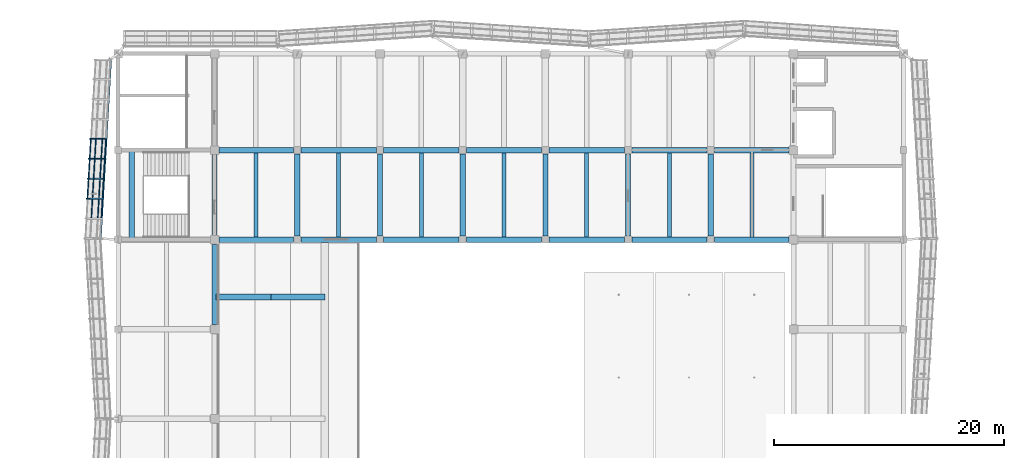
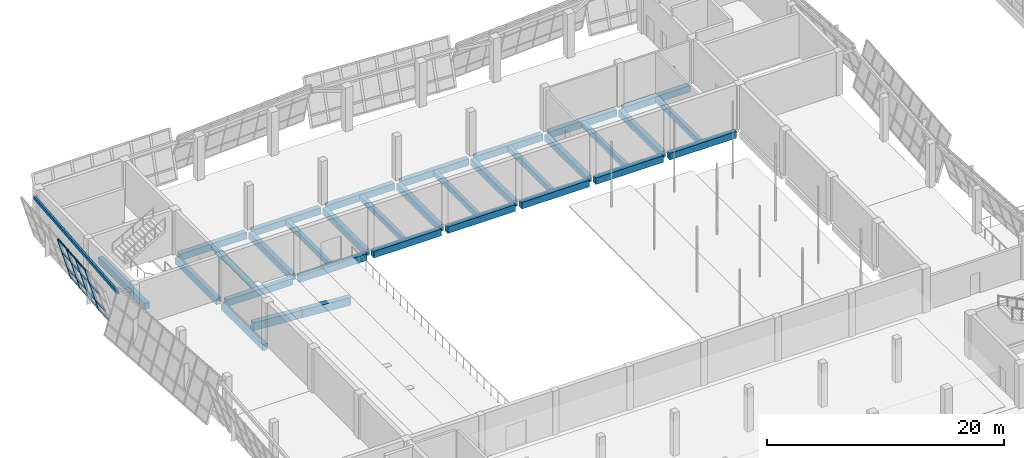
# One storey, part 14 of 71: 33 beams, 19 members, 1 element without a shape of its own.
"""IFC4 building model written with IfcOpenShell, lengths in metres."""

from ifc_helpers import new_model, si_unit, direction, frame, origin, origin_2d, place, context, subcontext, project, spatial, rectangle, hollow_rectangle, extrude, material, material_profile, profile_set, type_object, element, aggregate, save


model = new_model("IFC4")

# Units and contexts
model_context = context("Model", 3, precision=1e-05, world=origin(), true_north=direction((0.0, 1.0)))
body_context = subcontext(model_context, "Body", "Model", "MODEL_VIEW")
ifc_project = project(units=[si_unit("LENGTHUNIT", "METRE"), si_unit("AREAUNIT", "SQUARE_METRE"), si_unit("VOLUMEUNIT", "CUBIC_METRE"), si_unit("PLANEANGLEUNIT", "RADIAN"), si_unit("MASSUNIT", "GRAM", prefix="KILO")], contexts=[model_context])

# Site, building, storey
site_placement = place(None, origin())
site = spatial("IfcSite", under=ifc_project, at=site_placement, CompositionType="ELEMENT")
building_placement = place(site_placement, origin())
building = spatial("IfcBuilding", under=site, at=building_placement, Name="Pellamere Symphony Hall", CompositionType="ELEMENT")
storey_placement = place(building_placement, frame((0.0, 0.0, 15.0)))
storey = spatial("IfcBuildingStorey", under=building, at=storey_placement, Name="L03", CompositionType="ELEMENT", Elevation=15.0)

# Curtain wall, members
ifc_material_1 = material(Name="Thermally Broken Anodised Aluminium 6063-T6 Curtain Wall", Category="aluminium")
curtain_wall_type = type_object("IfcCurtainWallType", Name="Curtain Wall CW-01 (Tilted Faceted Crystal Low-Iron Curtain Wall)", PredefinedType="NOTDEFINED", material=ifc_material_1)
curtain_wall_placement = place(storey_placement, origin())
curtain_wall = element("IfcCurtainWall", 1, at=curtain_wall_placement, inside=storey, type_object=curtain_wall_type, Name="Crystal Faceted Curtain Wall CW-CR15 (L03)", PredefinedType="NOTDEFINED")
ifc_material_2 = material(Name="Anodised Architectural Aluminium 6063-T6", Category="aluminium")
ifc_material_profile_1 = material_profile(ifc_material_2, hollow_rectangle(XDim=0.074951171875, YDim=0.219970703125, WallThickness=0.0048828125, at=origin_2d()), Name="ALU-M75X220X5")
ifc_profile_set_1 = profile_set([ifc_material_profile_1], Name="Anodised Architectural Aluminium 6063-T6")
member_type_1 = type_object("IfcMemberType", Name="Curtain Wall Mullion ML-01 ALU-M75X220X5", PredefinedType="MULLION", material=ifc_profile_set_1)
member_1_placement = place(storey_placement, frame((49.35009765625, 86.166748046875, 0.0), z_axis=(-0.284024567884, 0.0, 0.95881700279), x_axis=(-0.055224537145, -0.998339941676, -0.01635883099)))
member_1 = element("IfcMember", 2, at=member_1_placement, type_object=member_type_1, Name="CW1-040 crystal mullion 5", PredefinedType="MULLION", context=body_context, shape_type="SweptSolid", body=[
    extrude(hollow_rectangle(XDim=0.074951171875, YDim=0.219970703125, WallThickness=0.0048828125, at=origin_2d()), origin(), (0.0, 0.0, 1.0), 4.693359375),
])
member_2_placement = place(storey_placement, frame((49.25, 84.433349609375, 0.0), z_axis=(-0.284024567884, 0.0, 0.95881700279), x_axis=(-0.055224537145, -0.998339941676, -0.01635883099)))
member_2 = element("IfcMember", 3, at=member_2_placement, type_object=member_type_1, Name="CW1-040 crystal mullion 6", PredefinedType="MULLION", context=body_context, shape_type="SweptSolid", body=[
    extrude(hollow_rectangle(XDim=0.074951171875, YDim=0.219970703125, WallThickness=0.0048828125, at=origin_2d()), origin(), (0.0, 0.0, 1.0), 4.693359375),
])
member_3_placement = place(storey_placement, frame((49.14990234375, 82.699951171875, 0.0), z_axis=(-0.284024567884, 0.0, 0.95881700279), x_axis=(-0.055224537145, -0.998339941676, -0.01635883099)))
member_3 = element("IfcMember", 4, at=member_3_placement, type_object=member_type_1, Name="CW1-040 crystal mullion 7", PredefinedType="MULLION", context=body_context, shape_type="SweptSolid", body=[
    extrude(hollow_rectangle(XDim=0.074951171875, YDim=0.219970703125, WallThickness=0.0048828125, at=origin_2d()), origin(), (0.0, 0.0, 1.0), 4.693359375),
])
member_4_placement = place(storey_placement, frame((49.050048828125, 80.966552734375, 0.0), z_axis=(-0.284024567884, 0.0, 0.95881700279), x_axis=(-0.055224537145, -0.998339941676, -0.01635883099)))
member_4 = element("IfcMember", 5, at=member_4_placement, type_object=member_type_1, Name="CW1-040 crystal mullion 8", PredefinedType="MULLION", context=body_context, shape_type="SweptSolid", body=[
    extrude(hollow_rectangle(XDim=0.074951171875, YDim=0.219970703125, WallThickness=0.0048828125, at=origin_2d()), origin(), (0.0, 0.0, 1.0), 4.693359375),
])
ifc_material_profile_2 = material_profile(ifc_material_2, hollow_rectangle(XDim=0.074951171875, YDim=0.179931640625, WallThickness=0.0048828125, at=origin_2d()), Name="ALU-T75X180X5")
ifc_profile_set_2 = profile_set([ifc_material_profile_2], Name="Anodised Architectural Aluminium 6063-T6")
member_type_2 = type_object("IfcMemberType", Name="Curtain Wall Transom TR-01 ALU-T75X180X5", PredefinedType="USERDEFINED", material=ifc_profile_set_2)
member_5_placement = place(storey_placement, frame((49.337158203125, 86.129150390625, 0.035888671875), z_axis=(-0.057610619545, -0.998339129012, 0.0), x_axis=(0.998339129012, -0.057610619545, 0.0)))
member_5 = element("IfcMember", 6, at=member_5_placement, type_object=member_type_2, Name="CW1-040 crystal transom 5.1", ObjectType="TRANSOM", PredefinedType="USERDEFINED", context=body_context, shape_type="SweptSolid", body=[
    extrude(hollow_rectangle(XDim=0.074951171875, YDim=0.179931640625, WallThickness=0.0048828125, at=origin_2d()), origin(), (0.0, 0.0, 1.0), 1.6611328125),
])
member_6_placement = place(storey_placement, frame((49.02783203125, 86.129150390625, 1.080078125), z_axis=(-0.057610619545, -0.998339129012, 0.0), x_axis=(0.998339129012, -0.057610619545, 0.0)))
member_6 = element("IfcMember", 7, at=member_6_placement, type_object=member_type_2, Name="CW1-040 crystal transom 5.2", ObjectType="TRANSOM", PredefinedType="USERDEFINED", context=body_context, shape_type="SweptSolid", body=[
    extrude(hollow_rectangle(XDim=0.074951171875, YDim=0.179931640625, WallThickness=0.0048828125, at=origin_2d()), origin(), (0.0, 0.0, 1.0), 1.6611328125),
])
member_7_placement = place(storey_placement, frame((48.468017578125, 86.129150390625, 2.969970703125), z_axis=(-0.057610619545, -0.998339129012, 0.0), x_axis=(0.998339129012, -0.057610619545, 0.0)))
member_7 = element("IfcMember", 8, at=member_7_placement, type_object=member_type_2, Name="CW1-040 crystal transom 5.3", ObjectType="TRANSOM", PredefinedType="USERDEFINED", context=body_context, shape_type="SweptSolid", body=[
    extrude(hollow_rectangle(XDim=0.074951171875, YDim=0.179931640625, WallThickness=0.0048828125, at=origin_2d()), origin(), (0.0, 0.0, 1.0), 1.6611328125),
])
member_8_placement = place(storey_placement, frame((48.025390625, 86.129150390625, 4.464111328125), z_axis=(-0.057464139598, -0.998347571069, 0.0), x_axis=(0.998347571069, -0.057464139598, 0.0)))
member_8 = element("IfcMember", 9, at=member_8_placement, type_object=member_type_2, Name="CW1-040 crystal transom 5.4", ObjectType="TRANSOM", PredefinedType="USERDEFINED", context=body_context, shape_type="SweptSolid", body=[
    extrude(hollow_rectangle(XDim=0.074951171875, YDim=0.179931640625, WallThickness=0.0048828125, at=origin_2d()), origin(), (0.0, 0.0, 1.0), 1.6611328125),
])
member_9_placement = place(storey_placement, frame((49.2373046875, 84.39599609375, 0.035888671875), z_axis=(-0.057610619545, -0.998339129012, 0.0), x_axis=(0.998339129012, -0.057610619545, 0.0)))
member_9 = element("IfcMember", 10, at=member_9_placement, type_object=member_type_2, Name="CW1-040 crystal transom 6.1", ObjectType="TRANSOM", PredefinedType="USERDEFINED", context=body_context, shape_type="SweptSolid", body=[
    extrude(hollow_rectangle(XDim=0.074951171875, YDim=0.179931640625, WallThickness=0.0048828125, at=origin_2d()), origin(), (0.0, 0.0, 1.0), 1.6611328125),
])
member_10_placement = place(storey_placement, frame((48.927978515625, 84.39599609375, 1.080078125), z_axis=(-0.057610619545, -0.998339129012, 0.0), x_axis=(0.998339129012, -0.057610619545, 0.0)))
member_10 = element("IfcMember", 11, at=member_10_placement, type_object=member_type_2, Name="CW1-040 crystal transom 6.2", ObjectType="TRANSOM", PredefinedType="USERDEFINED", context=body_context, shape_type="SweptSolid", body=[
    extrude(hollow_rectangle(XDim=0.074951171875, YDim=0.179931640625, WallThickness=0.0048828125, at=origin_2d()), origin(), (0.0, 0.0, 1.0), 1.6611328125),
])
member_11_placement = place(storey_placement, frame((48.3681640625, 84.39599609375, 2.969970703125), z_axis=(-0.057610619545, -0.998339129012, 0.0), x_axis=(0.998339129012, -0.057610619545, 0.0)))
member_11 = element("IfcMember", 12, at=member_11_placement, type_object=member_type_2, Name="CW1-040 crystal transom 6.3", ObjectType="TRANSOM", PredefinedType="USERDEFINED", context=body_context, shape_type="SweptSolid", body=[
    extrude(hollow_rectangle(XDim=0.074951171875, YDim=0.179931640625, WallThickness=0.0048828125, at=origin_2d()), origin(), (0.0, 0.0, 1.0), 1.6611328125),
])
member_12_placement = place(storey_placement, frame((47.925537109375, 84.39599609375, 4.464111328125), z_axis=(-0.057610619545, -0.998339129012, 0.0), x_axis=(0.998339129012, -0.057610619545, 0.0)))
member_12 = element("IfcMember", 13, at=member_12_placement, type_object=member_type_2, Name="CW1-040 crystal transom 6.4", ObjectType="TRANSOM", PredefinedType="USERDEFINED", context=body_context, shape_type="SweptSolid", body=[
    extrude(hollow_rectangle(XDim=0.074951171875, YDim=0.179931640625, WallThickness=0.0048828125, at=origin_2d()), origin(), (0.0, 0.0, 1.0), 1.6611328125),
])
member_13_placement = place(storey_placement, frame((49.13720703125, 82.66259765625, 0.035888671875), z_axis=(-0.057610619545, -0.998339129012, 0.0), x_axis=(0.998339129012, -0.057610619545, 0.0)))
member_13 = element("IfcMember", 14, at=member_13_placement, type_object=member_type_2, Name="CW1-040 crystal transom 7.1", ObjectType="TRANSOM", PredefinedType="USERDEFINED", context=body_context, shape_type="SweptSolid", body=[
    extrude(hollow_rectangle(XDim=0.074951171875, YDim=0.179931640625, WallThickness=0.0048828125, at=origin_2d()), origin(), (0.0, 0.0, 1.0), 1.6611328125),
])
member_14_placement = place(storey_placement, frame((48.827880859375, 82.66259765625, 1.080078125), z_axis=(-0.057610619545, -0.998339129012, 0.0), x_axis=(0.998339129012, -0.057610619545, 0.0)))
member_14 = element("IfcMember", 15, at=member_14_placement, type_object=member_type_2, Name="CW1-040 crystal transom 7.2", ObjectType="TRANSOM", PredefinedType="USERDEFINED", context=body_context, shape_type="SweptSolid", body=[
    extrude(hollow_rectangle(XDim=0.074951171875, YDim=0.179931640625, WallThickness=0.0048828125, at=origin_2d()), origin(), (0.0, 0.0, 1.0), 1.6611328125),
])
member_15_placement = place(storey_placement, frame((48.26806640625, 82.66259765625, 2.969970703125), z_axis=(-0.057610619545, -0.998339129012, 0.0), x_axis=(0.998339129012, -0.057610619545, 0.0)))
member_15 = element("IfcMember", 16, at=member_15_placement, type_object=member_type_2, Name="CW1-040 crystal transom 7.3", ObjectType="TRANSOM", PredefinedType="USERDEFINED", context=body_context, shape_type="SweptSolid", body=[
    extrude(hollow_rectangle(XDim=0.074951171875, YDim=0.179931640625, WallThickness=0.0048828125, at=origin_2d()), origin(), (0.0, 0.0, 1.0), 1.6611328125),
])
member_16_placement = place(storey_placement, frame((47.825439453125, 82.66259765625, 4.464111328125), z_axis=(-0.057610619545, -0.998339129012, 0.0), x_axis=(0.998339129012, -0.057610619545, 0.0)))
member_16 = element("IfcMember", 17, at=member_16_placement, type_object=member_type_2, Name="CW1-040 crystal transom 7.4", ObjectType="TRANSOM", PredefinedType="USERDEFINED", context=body_context, shape_type="SweptSolid", body=[
    extrude(hollow_rectangle(XDim=0.074951171875, YDim=0.179931640625, WallThickness=0.0048828125, at=origin_2d()), origin(), (0.0, 0.0, 1.0), 1.6611328125),
])
member_17_placement = place(storey_placement, frame((49.037109375, 80.92919921875, 0.035888671875), z_axis=(-0.057610619545, -0.998339129012, 0.0), x_axis=(0.998339129012, -0.057610619545, 0.0)))
member_17 = element("IfcMember", 18, at=member_17_placement, type_object=member_type_2, Name="CW1-040 crystal transom 8.1", ObjectType="TRANSOM", PredefinedType="USERDEFINED", context=body_context, shape_type="SweptSolid", body=[
    extrude(hollow_rectangle(XDim=0.074951171875, YDim=0.179931640625, WallThickness=0.0048828125, at=origin_2d()), origin(), (0.0, 0.0, 1.0), 1.6611328125),
])
member_18_placement = place(storey_placement, frame((48.72802734375, 80.92919921875, 1.080078125), z_axis=(-0.057610619545, -0.998339129012, 0.0), x_axis=(0.998339129012, -0.057610619545, 0.0)))
member_18 = element("IfcMember", 19, at=member_18_placement, type_object=member_type_2, Name="CW1-040 crystal transom 8.2", ObjectType="TRANSOM", PredefinedType="USERDEFINED", context=body_context, shape_type="SweptSolid", body=[
    extrude(hollow_rectangle(XDim=0.074951171875, YDim=0.179931640625, WallThickness=0.0048828125, at=origin_2d()), origin(), (0.0, 0.0, 1.0), 1.6611328125),
])
member_19_placement = place(storey_placement, frame((48.16796875, 80.92919921875, 2.969970703125), z_axis=(-0.057610619545, -0.998339129012, 0.0), x_axis=(0.998339129012, -0.057610619545, 0.0)))
member_19 = element("IfcMember", 20, at=member_19_placement, type_object=member_type_2, Name="CW1-040 crystal transom 8.3", ObjectType="TRANSOM", PredefinedType="USERDEFINED", context=body_context, shape_type="SweptSolid", body=[
    extrude(hollow_rectangle(XDim=0.074951171875, YDim=0.179931640625, WallThickness=0.0048828125, at=origin_2d()), origin(), (0.0, 0.0, 1.0), 1.6611328125),
])
aggregate(curtain_wall, [member_1, member_2, member_3, member_4, member_5, member_6, member_7, member_8, member_9, member_10, member_11, member_12, member_13, member_14, member_15, member_16, member_17, member_18, member_19])

# Beams
ifc_material_3 = material(Name="Concrete 40 MPa", Category="concrete")
ifc_material_profile_3 = material_profile(ifc_material_3, rectangle(XDim=0.449951171875, YDim=0.64990234375, at=origin_2d()), Name="RC 450x650")
ifc_profile_set_3 = profile_set([ifc_material_profile_3], Name="Concrete 40 MPa")
beam_type_1 = type_object("IfcBeamType", Name="RC CB-08 450x650", PredefinedType="BEAM", material=ifc_profile_set_3)
for number, where, z_axis, x_axis, name in (
    (21, (58.800048828125, 70.0, -0.5849609375), (0.0, 1.0, 0.0), (-1.0, 0.0, 0.0), "Girder CB-08-Y1618 (L03)"),
    (22, (58.800048828125, 77.800048828125, -0.5849609375), (0.0, 1.0, 0.0), (-1.0, 0.0, 0.0), "Girder CB-08-Y1619 (L03)"),
):
    element("IfcBeam", number, at=place(storey_placement, frame(where, z_axis=z_axis, x_axis=x_axis)), inside=storey, type_object=beam_type_1, Name=name, PredefinedType="BEAM", context=body_context, shape_type="SweptSolid", body=[
        extrude(rectangle(XDim=0.449951171875, YDim=0.64990234375, at=origin_2d()), origin(), (0.0, 0.0, 1.0), 7.0),
    ])
for number, where, z_axis, x_axis, name in (
    (23, (66.0, 77.72509765625, -0.5849609375), (0.0, 1.0, 0.0), (-1.0, 0.0, 0.0), "Girder CB-08-Y1624 (L03)"),
    (24, (73.199951171875, 77.72509765625, -0.5849609375), (0.0, 1.0, 0.0), (-1.0, 0.0, 0.0), "Girder CB-08-Y1629 (L03)"),
    (25, (80.39990234375, 77.72509765625, -0.5849609375), (0.0, 1.0, 0.0), (-1.0, 0.0, 0.0), "Girder CB-08-Y1633 (L03)"),
    (26, (87.60009765625, 77.72509765625, -0.5849609375), (0.0, 1.0, 0.0), (-1.0, 0.0, 0.0), "Girder CB-08-Y1637 (L03)"),
    (27, (94.800048828125, 77.72509765625, -0.5849609375), (0.0, 1.0, 0.0), (-1.0, 0.0, 0.0), "Girder CB-08-Y1642 (L03)"),
    (28, (102.0, 77.72509765625, -0.5849609375), (0.0, 1.0, 0.0), (-1.0, 0.0, 0.0), "Girder CB-08-Y1647 (L03)"),
):
    element("IfcBeam", number, at=place(storey_placement, frame(where, z_axis=z_axis, x_axis=x_axis)), inside=storey, type_object=beam_type_1, Name=name, PredefinedType="BEAM", context=body_context, shape_type="SweptSolid", body=[
        extrude(rectangle(XDim=0.449951171875, YDim=0.64990234375, at=origin_2d()), origin(), (0.0, 0.0, 1.0), 7.14990234375),
    ])
beam_1_placement = place(storey_placement, frame((51.592529296875, 77.3798828125, 1.705078125), z_axis=(0.0, 1.0, 0.0), x_axis=(-1.0, 0.0, 0.0)))
element("IfcBeam", 29, at=beam_1_placement, inside=storey, type_object=beam_type_1, Name="Stair ST07-L03 Half Landing Support Beam (L03)", PredefinedType="BEAM", context=body_context, shape_type="SweptSolid", body=[
    extrude(rectangle(XDim=0.449951171875, YDim=0.64990234375, at=origin_2d()), origin(), (0.0, 0.0, 1.0), 7.840087890625),
])
ifc_material_4 = material(Name="Concrete 35 MPa", Category="concrete")
ifc_material_profile_4 = material_profile(ifc_material_4, rectangle(XDim=0.35009765625, YDim=0.550048828125, at=origin_2d()), Name="RC 350x550")
ifc_profile_set_4 = profile_set([ifc_material_profile_4], Name="Concrete 35 MPa")
beam_type_2 = type_object("IfcBeamType", Name="RC CB-10 350x550", PredefinedType="BEAM", material=ifc_profile_set_4)
for number, where, z_axis, x_axis, name in (
    (30, (62.39990234375, 77.639892578125, -0.550048828125), (0.0, 1.0, 0.0), (-1.0, 0.0, 0.0), "Secondary Floor Beam CB-10-M0710 (L03)"),
    (31, (69.60009765625, 77.639892578125, -0.550048828125), (0.0, 1.0, 0.0), (-1.0, 0.0, 0.0), "Secondary Floor Beam CB-10-M0810 (L03)"),
    (32, (76.800048828125, 77.639892578125, -0.550048828125), (0.0, 1.0, 0.0), (-1.0, 0.0, 0.0), "Secondary Floor Beam CB-10-M0910 (L03)"),
    (33, (84.0, 77.639892578125, -0.550048828125), (0.0, 1.0, 0.0), (-1.0, 0.0, 0.0), "Secondary Floor Beam CB-10-M1010 (L03)"),
    (34, (91.199951171875, 77.639892578125, -0.550048828125), (0.0, 1.0, 0.0), (-1.0, 0.0, 0.0), "Secondary Floor Beam CB-10-M1110 (L03)"),
    (35, (98.39990234375, 77.639892578125, -0.550048828125), (0.0, 1.0, 0.0), (-1.0, 0.0, 0.0), "Secondary Floor Beam CB-10-M1210 (L03)"),
    (36, (105.60009765625, 77.639892578125, -0.550048828125), (0.0, 1.0, 0.0), (-1.0, 0.0, 0.0), "Secondary Floor Beam CB-10-M1310 (L03)"),
):
    element("IfcBeam", number, at=place(storey_placement, frame(where, z_axis=z_axis, x_axis=x_axis)), inside=storey, type_object=beam_type_2, Name=name, PredefinedType="BEAM", context=body_context, shape_type="SweptSolid", body=[
        extrude(rectangle(XDim=0.35009765625, YDim=0.550048828125, at=origin_2d()), origin(), (0.0, 0.0, 1.0), 7.320068359375),
    ])
ifc_material_profile_5 = material_profile(ifc_material_3, rectangle(XDim=0.47998046875, YDim=0.679931640625, at=origin_2d()), Name="RC 480x680")
ifc_profile_set_5 = profile_set([ifc_material_profile_5], Name="Concrete 40 MPa")
beam_type_3 = type_object("IfcBeamType", Name="RC CB-19 480x680", PredefinedType="BEAM", material=ifc_profile_set_5)
beam_2_placement = place(storey_placement, frame((59.199951171875, 77.39990234375, -0.60009765625), z_axis=(1.0, 0.0, 0.0), x_axis=(0.0, 1.0, 0.0)))
element("IfcBeam", 37, at=beam_2_placement, inside=storey, type_object=beam_type_3, Name="Girder CB-19-X1572 (L03)", PredefinedType="BEAM", context=body_context, shape_type="SweptSolid", body=[
    extrude(rectangle(XDim=0.47998046875, YDim=0.679931640625, at=origin_2d()), origin(), (0.0, 0.0, 1.0), 6.47509765625),
])
for number, where, z_axis, x_axis, name in (
    (38, (66.324951171875, 77.39990234375, -0.60009765625), (1.0, 0.0, 0.0), (0.0, 1.0, 0.0), "Girder CB-19-X1573 (L03)"),
    (39, (73.52490234375, 77.39990234375, -0.60009765625), (1.0, 0.0, 0.0), (0.0, 1.0, 0.0), "Girder CB-19-X1574 (L03)"),
):
    element("IfcBeam", number, at=place(storey_placement, frame(where, z_axis=z_axis, x_axis=x_axis)), inside=storey, type_object=beam_type_3, Name=name, PredefinedType="BEAM", context=body_context, shape_type="SweptSolid", body=[
        extrude(rectangle(XDim=0.47998046875, YDim=0.679931640625, at=origin_2d()), origin(), (0.0, 0.0, 1.0), 6.550048828125),
    ])
beam_3_placement = place(storey_placement, frame((80.72509765625, 77.39990234375, -0.60009765625), z_axis=(1.0, 0.0, 0.0), x_axis=(0.0, 1.0, 0.0)))
element("IfcBeam", 40, at=beam_3_placement, inside=storey, type_object=beam_type_3, Name="Girder CB-19-X1575 (L03)", PredefinedType="BEAM", context=body_context, shape_type="SweptSolid", body=[
    extrude(rectangle(XDim=0.47998046875, YDim=0.679931640625, at=origin_2d()), origin(), (0.0, 0.0, 1.0), 6.5498046875),
])
for number, where, z_axis, x_axis, name in (
    (41, (87.925048828125, 77.39990234375, -0.60009765625), (1.0, 0.0, 0.0), (0.0, 1.0, 0.0), "Girder CB-19-X1576 (L03)"),
    (42, (95.125, 77.39990234375, -0.60009765625), (1.0, 0.0, 0.0), (0.0, 1.0, 0.0), "Girder CB-19-X1577 (L03)"),
):
    element("IfcBeam", number, at=place(storey_placement, frame(where, z_axis=z_axis, x_axis=x_axis)), inside=storey, type_object=beam_type_3, Name=name, PredefinedType="BEAM", context=body_context, shape_type="SweptSolid", body=[
        extrude(rectangle(XDim=0.47998046875, YDim=0.679931640625, at=origin_2d()), origin(), (0.0, 0.0, 1.0), 6.550048828125),
    ])
for number, where, z_axis, x_axis, name in (
    (43, (102.324951171875, 77.39990234375, -0.60009765625), (1.0, 0.0, 0.0), (0.0, 1.0, 0.0), "Girder CB-19-X1578 (L03)"),
    (44, (59.199951171875, 85.199951171875, -0.60009765625), (1.0, 0.0, 0.0), (0.0, 1.0, 0.0), "Girder CB-19-X1583 (L03)"),
):
    element("IfcBeam", number, at=place(storey_placement, frame(where, z_axis=z_axis, x_axis=x_axis)), inside=storey, type_object=beam_type_3, Name=name, PredefinedType="BEAM", context=body_context, shape_type="SweptSolid", body=[
        extrude(rectangle(XDim=0.47998046875, YDim=0.679931640625, at=origin_2d()), origin(), (0.0, 0.0, 1.0), 6.47509765625),
    ])
for number, where, z_axis, x_axis, name in (
    (45, (66.324951171875, 85.199951171875, -0.60009765625), (1.0, 0.0, 0.0), (0.0, 1.0, 0.0), "Girder CB-19-X1584 (L03)"),
    (46, (73.52490234375, 85.199951171875, -0.60009765625), (1.0, 0.0, 0.0), (0.0, 1.0, 0.0), "Girder CB-19-X1585 (L03)"),
):
    element("IfcBeam", number, at=place(storey_placement, frame(where, z_axis=z_axis, x_axis=x_axis)), inside=storey, type_object=beam_type_3, Name=name, PredefinedType="BEAM", context=body_context, shape_type="SweptSolid", body=[
        extrude(rectangle(XDim=0.47998046875, YDim=0.679931640625, at=origin_2d()), origin(), (0.0, 0.0, 1.0), 6.550048828125),
    ])
beam_4_placement = place(storey_placement, frame((80.72509765625, 85.199951171875, -0.60009765625), z_axis=(1.0, 0.0, 0.0), x_axis=(0.0, 1.0, 0.0)))
element("IfcBeam", 47, at=beam_4_placement, inside=storey, type_object=beam_type_3, Name="Girder CB-19-X1586 (L03)", PredefinedType="BEAM", context=body_context, shape_type="SweptSolid", body=[
    extrude(rectangle(XDim=0.47998046875, YDim=0.679931640625, at=origin_2d()), origin(), (0.0, 0.0, 1.0), 6.5498046875),
])
for number, where, z_axis, x_axis, name in (
    (48, (87.925048828125, 85.199951171875, -0.60009765625), (1.0, 0.0, 0.0), (0.0, 1.0, 0.0), "Girder CB-19-X1587 (L03)"),
    (49, (95.125, 85.199951171875, -0.60009765625), (1.0, 0.0, 0.0), (0.0, 1.0, 0.0), "Girder CB-19-X1588 (L03)"),
):
    element("IfcBeam", number, at=place(storey_placement, frame(where, z_axis=z_axis, x_axis=x_axis)), inside=storey, type_object=beam_type_3, Name=name, PredefinedType="BEAM", context=body_context, shape_type="SweptSolid", body=[
        extrude(rectangle(XDim=0.47998046875, YDim=0.679931640625, at=origin_2d()), origin(), (0.0, 0.0, 1.0), 6.550048828125),
    ])
beam_5_placement = place(storey_placement, frame((102.324951171875, 85.199951171875, -0.60009765625), z_axis=(1.0, 0.0, 0.0), x_axis=(0.0, 1.0, 0.0)))
element("IfcBeam", 50, at=beam_5_placement, inside=storey, type_object=beam_type_3, Name="Girder CB-19-X1589 (L03)", PredefinedType="BEAM", context=body_context, shape_type="SweptSolid", body=[
    extrude(rectangle(XDim=0.47998046875, YDim=0.679931640625, at=origin_2d()), origin(), (0.0, 0.0, 1.0), 6.47509765625),
])
ifc_material_profile_6 = material_profile(ifc_material_3, rectangle(XDim=0.5, YDim=0.800048828125, at=origin_2d()), Name="RC 500x800")
ifc_profile_set_6 = profile_set([ifc_material_profile_6], Name="Concrete 40 MPa")
beam_type_4 = type_object("IfcBeamType", Name="RC RK-03 500x800", PredefinedType="BEAM", material=ifc_profile_set_6)
beam_6_placement = place(storey_placement, frame((68.39990234375, 72.39990234375, -0.56005859375), z_axis=(-0.997266066983, 0.0, 0.073894462877), x_axis=(0.0, -1.0, 0.0)))
element("IfcBeam", 51, at=beam_6_placement, inside=storey, type_object=beam_type_4, Name="Stand Choir and Acoustic Gallery Raker Beam RK-03-059", PredefinedType="BEAM", context=body_context, shape_type="SweptSolid", body=[
    extrude(rectangle(XDim=0.5, YDim=0.800048828125, at=origin_2d()), origin(), (0.0, 0.0, 1.0), 4.73779296875),
])
beam_7_placement = place(storey_placement, frame((63.675048828125, 72.39990234375, -0.2099609375), z_axis=(-0.99727014404, 0.0, 0.073839419056), x_axis=(0.0, -1.0, 0.0)))
element("IfcBeam", 52, at=beam_7_placement, inside=storey, type_object=beam_type_4, Name="Stand Choir and Acoustic Gallery Raker Beam RK-03-060", PredefinedType="BEAM", context=body_context, shape_type="SweptSolid", body=[
    extrude(rectangle(XDim=0.5, YDim=0.800048828125, at=origin_2d()), origin(), (0.0, 0.0, 1.0), 4.738037109375),
])
ifc_material_5 = material(Name="Steel CSA G40.21 350W", Category="steel")
ifc_material_profile_7 = material_profile(ifc_material_5, hollow_rectangle(XDim=0.203125, YDim=0.3046875, WallThickness=0.0126953125, at=origin_2d()), Name="HSS305X203X13")
ifc_profile_set_7 = profile_set([ifc_material_profile_7], Name="Steel CSA G40.21 350W")
beam_type_5 = type_object("IfcBeamType", Name="Steel Spandrel SB-26 HSS305X203X13", PredefinedType="SPANDREL", material=ifc_profile_set_7)
beam_8_placement = place(storey_placement, frame((49.75, 93.10009765625, 3.93994140625), z_axis=(-0.057589946883, -0.998340321743, 0.0), x_axis=(0.998340321743, -0.057589946883, 0.0)))
element("IfcBeam", 53, at=beam_8_placement, inside=storey, type_object=beam_type_5, Name="Crystal Perimeter Ring Beam CW-CR15 (L03)", PredefinedType="SPANDREL", context=body_context, shape_type="SweptSolid", body=[
    extrude(hollow_rectangle(XDim=0.203125, YDim=0.3046875, WallThickness=0.0126953125, at=origin_2d()), origin(), (0.0, 0.0, 1.0), 15.6259765625),
])

save(model, "model.ifc")
